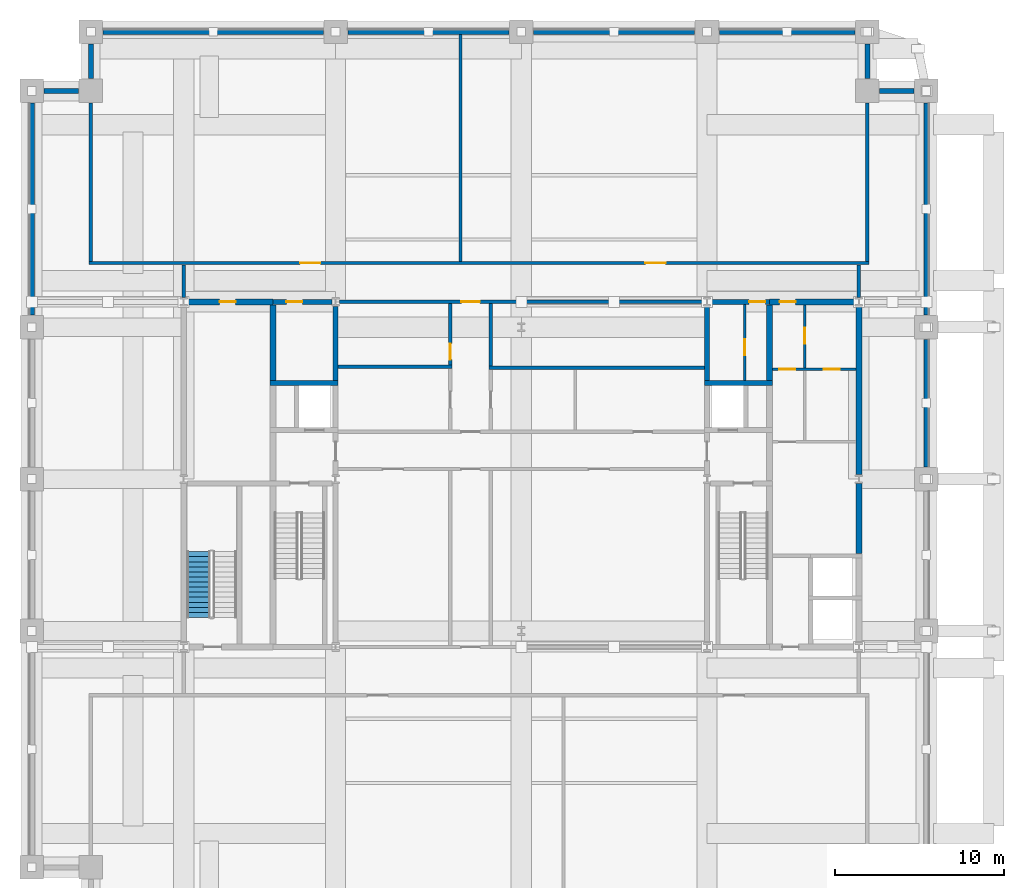
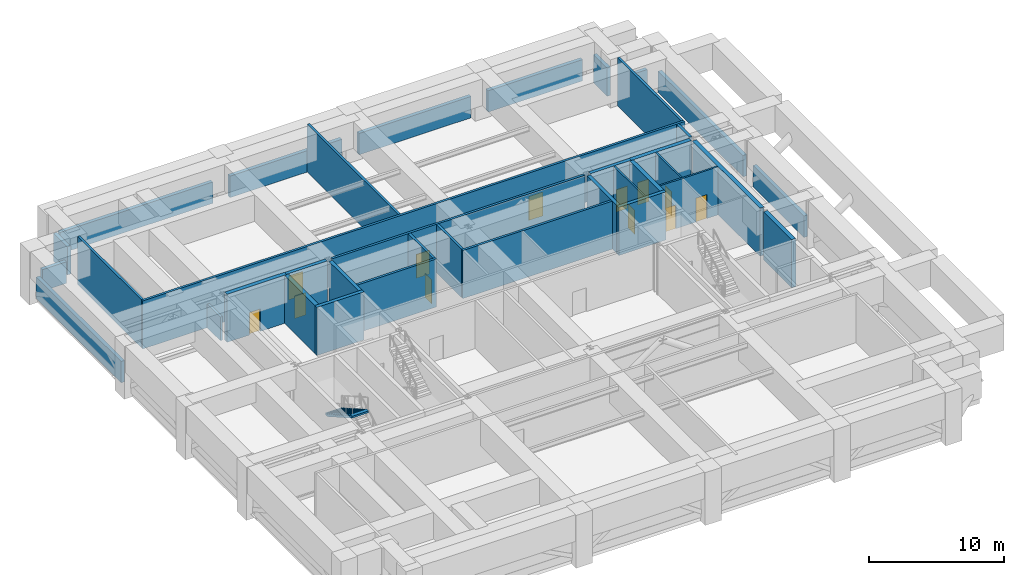
# One storey, part 5 of 10: 37 walls, 12 doors, 1 stair flight, 12 openings, 1 element without a shape of its own.
"""IFC4 building model written with IfcOpenShell, lengths in metres."""

from ifc_helpers import new_model, si_unit, direction, frame, frame_2d, origin, place, context, subcontext, project, spatial, polyline, rectangle, outline, extrude, material, layer, layer_set, type_object, element, fill, aggregate, save


model = new_model("IFC4")

# Units and contexts
model_context = context("Model", 3, precision=1e-05, world=origin(), true_north=direction((0.0, 1.0)))
body_context = subcontext(model_context, "Body", "Model", "MODEL_VIEW")
ifc_project = project(units=[si_unit("LENGTHUNIT", "METRE"), si_unit("AREAUNIT", "SQUARE_METRE"), si_unit("VOLUMEUNIT", "CUBIC_METRE"), si_unit("PLANEANGLEUNIT", "RADIAN"), si_unit("MASSUNIT", "GRAM", prefix="KILO")], contexts=[model_context])

# Site, building, storey
site_placement = place(None, origin())
site = spatial("IfcSite", under=ifc_project, at=site_placement, CompositionType="ELEMENT")
building_placement = place(site_placement, origin())
building = spatial("IfcBuilding", under=site, at=building_placement, Name="Zulmaris Gate Convention Tower", CompositionType="ELEMENT")
storey_placement = place(building_placement, frame((0.0, 0.0, 82.179931640625)))
storey = spatial("IfcBuildingStorey", under=building, at=storey_placement, Name="L20", CompositionType="ELEMENT", Elevation=82.179931640625)

# Walls
ifc_material_1 = material(Name="Concrete C50/60", Category="concrete")
ifc_layer_1 = layer(ifc_material_1, 0.300048828125, Name="Concrete C50/60")
ifc_layer_set_1 = layer_set([ifc_layer_1], Name="Concrete C50/60")
wall_type_1 = type_object("IfcWallType", Name="CORE-300", PredefinedType="SHEAR", material=ifc_layer_set_1)
for number, where, z_axis, x_axis, name in (
    (1, (-14.875, 5.699951171875, 0.0), (0.0, 0.0, 1.0), (1.0, 0.0, 0.0), "WL-L20-011"),
    (2, (10.85009765625, 5.699951171875, 0.0), (0.0, 0.0, 1.0), (1.0, 0.0, 0.0), "WL-L20-012"),
):
    element("IfcWall", number, at=place(storey_placement, frame(where, z_axis=z_axis, x_axis=x_axis)), inside=storey, type_object=wall_type_1, Name=name, PredefinedType="SHEAR", context=body_context, shape_type="SweptSolid", body=[
        extrude(rectangle(XDim=4.02490234375, YDim=0.300048828125, at=frame_2d((2.012451171875, 0.0))), origin(), (0.0, 0.0, 1.0), 4.3349609375),
    ])

# Wall, opening, door
wall_1_placement = place(storey_placement, frame((-14.699951171875, 10.5, 0.0), z_axis=(0.0, 0.0, 1.0), x_axis=(1.0, 0.0, 0.0)))
wall_1 = element("IfcWall", 3, at=wall_1_placement, inside=storey, type_object=wall_type_1, Name="WL-L20-014", PredefinedType="SHEAR", context=body_context, shape_type="SweptSolid", body=[
    extrude(rectangle(XDim=3.4775390625, YDim=0.300048828125, at=frame_2d((1.73876953125, 0.0))), origin(), (0.0, 0.0, 1.0), 4.3349609375),
])
opening_1_placement = place(wall_1_placement, frame((0.77490234375, 0.0, 0.0)))
opening_1 = element("IfcOpeningElement", 4, at=opening_1_placement, cuts=wall_1, Name="Opening D-25", PredefinedType="OPENING", context=body_context, shape_type="SweptSolid", body=[
    extrude(rectangle(XDim=0.949951171875, YDim=2.02001953125, at=frame_2d((0.47509765625, 1.010009765625))), frame((0.0, 0.16015625, 0.0), z_axis=(0.0, -1.0, 0.0), x_axis=(1.0, 0.0, 0.0)), (0.0, 0.0, 1.0), 0.320068359375),
])
ifc_material_2 = material(Name="Fire-Rated Steel", Category="steel")
door_type_1 = type_object("IfcDoorType", Name="DR-950-LOW-FD", OperationType="NOTDEFINED", PredefinedType="DOOR", material=ifc_material_2)
door_1_placement = place(opening_1_placement, origin())
door_1 = element("IfcDoor", 5, at=door_1_placement, inside=storey, type_object=door_type_1, Name="L20 Core Archive Door 07", OperationType="SINGLE_SWING_RIGHT", OverallHeight=2.02001953125, OverallWidth=0.949951171875, PredefinedType="DOOR", context=body_context, shape_type="SweptSolid", body=[
    extrude(rectangle(XDim=0.949951171875, YDim=2.02001953125, at=frame_2d((0.47509765625, 1.010009765625))), frame((0.0, 0.02490234375, 0.0), z_axis=(0.0, -1.0, 0.0), x_axis=(1.0, 0.0, 0.0)), (0.0, 0.0, 1.0), 0.050048828125),
])
fill(opening_1, door_1)

wall_2_placement = place(storey_placement, frame((11.222412109375, 10.5, 0.0), z_axis=(0.0, 0.0, 1.0), x_axis=(1.0, 0.0, 0.0)))
wall_2 = element("IfcWall", 6, at=wall_2_placement, inside=storey, type_object=wall_type_1, Name="WL-L20-015", PredefinedType="SHEAR", context=body_context, shape_type="SweptSolid", body=[
    extrude(rectangle(XDim=3.4775390625, YDim=0.300048828125, at=frame_2d((1.73876953125, 0.0))), origin(), (0.0, 0.0, 1.0), 4.3349609375),
])
opening_2_placement = place(wall_2_placement, frame((2.282470703125, 0.0, 0.0)))
opening_2 = element("IfcOpeningElement", 7, at=opening_2_placement, cuts=wall_2, Name="Opening D-25", PredefinedType="OPENING", context=body_context, shape_type="SweptSolid", body=[
    extrude(rectangle(XDim=0.949951171875, YDim=2.02001953125, at=frame_2d((0.47509765625, 1.010009765625))), frame((0.0, 0.16015625, 0.0), z_axis=(0.0, -1.0, 0.0), x_axis=(1.0, 0.0, 0.0)), (0.0, 0.0, 1.0), 0.320068359375),
])
door_2_placement = place(opening_2_placement, origin())
door_2 = element("IfcDoor", 8, at=door_2_placement, inside=storey, type_object=door_type_1, Name="L20 Core Linen Closet Door 08", OperationType="SINGLE_SWING_LEFT", OverallHeight=2.02001953125, OverallWidth=0.949951171875, PredefinedType="DOOR", context=body_context, shape_type="SweptSolid", body=[
    extrude(rectangle(XDim=0.949951171875, YDim=2.02001953125, at=frame_2d((0.47509765625, 1.010009765625))), frame((0.0, 0.02490234375, 0.0), z_axis=(0.0, -1.0, 0.0), x_axis=(1.0, 0.0, 0.0)), (0.0, 0.0, 1.0), 0.050048828125),
])
fill(opening_2, door_2)

# Walls
for number, where, z_axis, x_axis, name in (
    (9, (-11.0, 5.85205078125, 0.0), (0.0, 0.0, 1.0), (0.0, 1.0, 0.0), "WL-L20-040"),
    (10, (11.0, 5.85205078125, 0.0), (0.0, 0.0, 1.0), (0.0, 1.0, 0.0), "WL-L20-044"),
):
    element("IfcWall", number, at=place(storey_placement, frame(where, z_axis=z_axis, x_axis=x_axis)), inside=storey, type_object=wall_type_1, Name=name, PredefinedType="SHEAR", context=body_context, shape_type="SweptSolid", body=[
        extrude(rectangle(XDim=4.386962890625, YDim=0.300048828125, at=frame_2d((2.193359375, 0.0))), origin(), (0.0, 0.0, 1.0), 4.3349609375),
    ])

# Wall, opening, door
ifc_material_3 = material(Name="Concrete C55/67", Category="concrete")
ifc_layer_2 = layer(ifc_material_3, 0.35009765625, Name="Concrete C55/67")
ifc_layer_set_2 = layer_set([ifc_layer_2], Name="Concrete C55/67")
wall_type_2 = type_object("IfcWallType", Name="CORE-350", PredefinedType="SHEAR", material=ifc_layer_set_2)
wall_3_placement = place(storey_placement, frame((-19.777587890625, 10.5, 0.0), z_axis=(0.0, 0.0, 1.0), x_axis=(1.0, 0.0, 0.0)))
wall_3 = element("IfcWall", 11, at=wall_3_placement, inside=storey, type_object=wall_type_2, Name="WL-L20-013", PredefinedType="SHEAR", context=body_context, shape_type="SweptSolid", body=[
    extrude(rectangle(XDim=5.07763671875, YDim=0.35009765625, at=frame_2d((2.538818359375, 0.0))), origin(), (0.0, 0.0, 1.0), 4.3349609375),
])
opening_3_placement = place(wall_3_placement, frame((1.902587890625, 0.0, 0.0)))
opening_3 = element("IfcOpeningElement", 12, at=opening_3_placement, cuts=wall_3, Name="Opening D-25", PredefinedType="OPENING", context=body_context, shape_type="SweptSolid", body=[
    extrude(rectangle(XDim=0.949951171875, YDim=2.02001953125, at=frame_2d((0.47509765625, 1.010009765625))), frame((0.0, 0.18505859375, 0.0), z_axis=(0.0, -1.0, 0.0), x_axis=(1.0, 0.0, 0.0)), (0.0, 0.0, 1.0), 0.3701171875),
])
door_3_placement = place(opening_3_placement, origin())
door_3 = element("IfcDoor", 13, at=door_3_placement, inside=storey, type_object=door_type_1, Name="L20 Overrun Motor Room Door 11", OperationType="SINGLE_SWING_RIGHT", OverallHeight=2.02001953125, OverallWidth=0.949951171875, PredefinedType="DOOR", context=body_context, shape_type="SweptSolid", body=[
    extrude(rectangle(XDim=0.949951171875, YDim=2.02001953125, at=frame_2d((0.47509765625, 1.010009765625))), frame((0.0, 0.02490234375, 0.0), z_axis=(0.0, -1.0, 0.0), x_axis=(1.0, 0.0, 0.0)), (0.0, 0.0, 1.0), 0.050048828125),
])
fill(opening_3, door_3)

wall_4_placement = place(storey_placement, frame((14.699951171875, 10.5, 0.0), z_axis=(0.0, 0.0, 1.0), x_axis=(1.0, 0.0, 0.0)))
wall_4 = element("IfcWall", 14, at=wall_4_placement, inside=storey, type_object=wall_type_2, Name="WL-L20-016", PredefinedType="SHEAR", context=body_context, shape_type="SweptSolid", body=[
    extrude(rectangle(XDim=5.07763671875, YDim=0.35009765625, at=frame_2d((2.538818359375, 0.0))), origin(), (0.0, 0.0, 1.0), 4.3349609375),
])
opening_4_placement = place(wall_4_placement, frame((0.60009765625, 0.0, 0.0)))
opening_4 = element("IfcOpeningElement", 15, at=opening_4_placement, cuts=wall_4, Name="Opening D-25", PredefinedType="OPENING", context=body_context, shape_type="SweptSolid", body=[
    extrude(rectangle(XDim=0.949951171875, YDim=2.02001953125, at=frame_2d((0.47509765625, 1.010009765625))), frame((0.0, 0.18505859375, 0.0), z_axis=(0.0, -1.0, 0.0), x_axis=(1.0, 0.0, 0.0)), (0.0, 0.0, 1.0), 0.3701171875),
])
door_4_placement = place(opening_4_placement, origin())
door_4 = element("IfcDoor", 16, at=door_4_placement, inside=storey, type_object=door_type_1, Name="L20 East Service Passage Door 13", OperationType="SINGLE_SWING_RIGHT", OverallHeight=2.02001953125, OverallWidth=0.949951171875, PredefinedType="DOOR", context=body_context, shape_type="SweptSolid", body=[
    extrude(rectangle(XDim=0.949951171875, YDim=2.02001953125, at=frame_2d((0.47509765625, 1.010009765625))), frame((0.0, 0.02490234375, 0.0), z_axis=(0.0, -1.0, 0.0), x_axis=(1.0, 0.0, 0.0)), (0.0, 0.0, 1.0), 0.050048828125),
])
fill(opening_4, door_4)

# Walls
for number, where, z_axis, x_axis, name in (
    (17, (-14.699951171875, 5.85205078125, 0.0), (0.0, 0.0, 1.0), (0.0, 1.0, 0.0), "WL-L20-034"),
    (18, (14.699951171875, 5.85205078125, 0.0), (0.0, 0.0, 1.0), (0.0, 1.0, 0.0), "WL-L20-050"),
):
    element("IfcWall", number, at=place(storey_placement, frame(where, z_axis=z_axis, x_axis=x_axis)), inside=storey, type_object=wall_type_2, Name=name, PredefinedType="SHEAR", context=body_context, shape_type="SweptSolid", body=[
        extrude(rectangle(XDim=4.470947265625, YDim=0.35009765625, at=frame_2d((2.2353515625, 0.0))), origin(), (0.0, 0.0, 1.0), 4.3349609375),
    ])
wall_5_placement = place(storey_placement, frame((20.0, -4.423095703125, 0.0), z_axis=(0.0, 0.0, 1.0), x_axis=(0.0, 1.0, 0.0)))
element("IfcWall", 19, at=wall_5_placement, inside=storey, type_object=wall_type_2, Name="WL-L20-055", PredefinedType="SHEAR", context=body_context, shape_type="SweptSolid", body=[
    extrude(rectangle(XDim=4.162109375, YDim=0.35009765625, at=frame_2d((2.0810546875, 0.0))), origin(), (0.0, 0.0, 1.0), 4.3349609375),
])
wall_6_placement = place(storey_placement, frame((20.0, 0.260986328125, 0.0), z_axis=(0.0, 0.0, 1.0), x_axis=(0.0, 1.0, 0.0)))
element("IfcWall", 20, at=wall_6_placement, inside=storey, type_object=wall_type_2, Name="WL-L20-055S1", PredefinedType="SHEAR", context=body_context, shape_type="SweptSolid", body=[
    extrude(rectangle(XDim=9.97802734375, YDim=0.35009765625, at=frame_2d((4.989013671875, 0.0))), origin(), (0.0, 0.0, 1.0), 4.3349609375),
])

# Wall, openings, doors
ifc_material_4 = material(Name="Gypsum Metal Stud Partition")
ifc_layer_3 = layer(ifc_material_4, 0.14990234375, Name="Gypsum Metal Stud Partition")
ifc_layer_set_3 = layer_set([ifc_layer_3], Name="Gypsum Metal Stud Partition")
wall_type_3 = type_object("IfcWallType", Name="PART-150", PredefinedType="PARTITIONING", material=ifc_layer_set_3)
wall_7_placement = place(storey_placement, frame((14.8779296875, 6.5, 0.0), z_axis=(0.0, 0.0, 1.0), x_axis=(1.0, 0.0, 0.0)))
wall_7 = element("IfcWall", 21, at=wall_7_placement, inside=storey, type_object=wall_type_3, Name="WL-L20-023", PredefinedType="PARTITIONING", context=body_context, shape_type="SweptSolid", body=[
    extrude(rectangle(XDim=4.944091796875, YDim=0.14990234375, at=frame_2d((2.47216796875, 0.0))), origin(), (0.0, 0.0, 1.0), 4.3349609375),
])
opening_5_placement = place(wall_7_placement, frame((0.39697265625, 0.0, 0.0)))
opening_5 = element("IfcOpeningElement", 22, at=opening_5_placement, cuts=wall_7, Name="Opening D-11", PredefinedType="OPENING", context=body_context, shape_type="SweptSolid", body=[
    extrude(rectangle(XDim=0.949951171875, YDim=2.14990234375, at=frame_2d((0.47509765625, 1.074951171875))), frame((0.0, 0.0849609375, 0.0), z_axis=(0.0, -1.0, 0.0), x_axis=(1.0, 0.0, 0.0)), (0.0, 0.0, 1.0), 0.169921875),
])
opening_6_placement = place(wall_7_placement, frame((3.047119140625, 0.0, 0.0)))
opening_6 = element("IfcOpeningElement", 23, at=opening_6_placement, cuts=wall_7, Name="Opening D-11", PredefinedType="OPENING", context=body_context, shape_type="SweptSolid", body=[
    extrude(rectangle(XDim=0.949951171875, YDim=2.14990234375, at=frame_2d((0.47509765625, 1.074951171875))), frame((0.0, 0.0849609375, 0.0), z_axis=(0.0, -1.0, 0.0), x_axis=(1.0, 0.0, 0.0)), (0.0, 0.0, 1.0), 0.169921875),
])
ifc_material_5 = material(Name="Fire-Rated Timber", Category="wood")
door_type_2 = type_object("IfcDoorType", Name="DR-950-FD", OperationType="NOTDEFINED", PredefinedType="DOOR", material=ifc_material_5)
door_5_placement = place(opening_5_placement, origin())
door_5 = element("IfcDoor", 24, at=door_5_placement, inside=storey, type_object=door_type_2, Name="L20 East Staff WC Door 14", OperationType="SINGLE_SWING_LEFT", OverallHeight=2.14990234375, OverallWidth=0.949951171875, PredefinedType="DOOR", context=body_context, shape_type="SweptSolid", body=[
    extrude(rectangle(XDim=0.949951171875, YDim=2.14990234375, at=frame_2d((0.47509765625, 1.074951171875))), frame((0.0, 0.02490234375, 0.0), z_axis=(0.0, -1.0, 0.0), x_axis=(1.0, 0.0, 0.0)), (0.0, 0.0, 1.0), 0.050048828125),
])
fill(opening_5, door_5)
door_6_placement = place(opening_6_placement, origin())
door_6 = element("IfcDoor", 25, at=door_6_placement, inside=storey, type_object=door_type_2, Name="L20 East Catering Store Door 17", OperationType="SINGLE_SWING_RIGHT", OverallHeight=2.14990234375, OverallWidth=0.949951171875, PredefinedType="DOOR", context=body_context, shape_type="SweptSolid", body=[
    extrude(rectangle(XDim=0.949951171875, YDim=2.14990234375, at=frame_2d((0.47509765625, 1.074951171875))), frame((0.0, 0.02490234375, 0.0), z_axis=(0.0, -1.0, 0.0), x_axis=(1.0, 0.0, 0.0)), (0.0, 0.0, 1.0), 0.050048828125),
])
fill(opening_6, door_6)

# Wall, opening, door
wall_8_placement = place(storey_placement, frame((13.25, 5.85302734375, 0.0), z_axis=(0.0, 0.0, 1.0), x_axis=(0.0, 1.0, 0.0)))
wall_8 = element("IfcWall", 26, at=wall_8_placement, inside=storey, type_object=wall_type_3, Name="WL-L20-069", PredefinedType="PARTITIONING", context=body_context, shape_type="SweptSolid", body=[
    extrude(rectangle(XDim=4.493896484375, YDim=0.14990234375, at=frame_2d((2.2470703125, 0.0))), origin(), (0.0, 0.0, 1.0), 4.3349609375),
])
opening_7_placement = place(wall_8_placement, frame((1.471923828125, 0.0, 0.0)))
opening_7 = element("IfcOpeningElement", 27, at=opening_7_placement, cuts=wall_8, Name="Opening D-11", PredefinedType="OPENING", context=body_context, shape_type="SweptSolid", body=[
    extrude(rectangle(XDim=0.949951171875, YDim=2.14990234375, at=frame_2d((0.47509765625, 1.074951171875))), frame((0.0, 0.0849609375, 0.0), z_axis=(0.0, -1.0, 0.0), x_axis=(1.0, 0.0, 0.0)), (0.0, 0.0, 1.0), 0.169921875),
])
door_7_placement = place(opening_7_placement, origin())
door_7 = element("IfcDoor", 28, at=door_7_placement, inside=storey, type_object=door_type_2, Name="L20 Core Service Pantry Door 09", OperationType="SINGLE_SWING_RIGHT", OverallHeight=2.14990234375, OverallWidth=0.949951171875, PredefinedType="DOOR", context=body_context, shape_type="SweptSolid", body=[
    extrude(rectangle(XDim=0.949951171875, YDim=2.14990234375, at=frame_2d((0.47509765625, 1.074951171875))), frame((0.0, 0.02490234375, 0.0), z_axis=(0.0, -1.0, 0.0), x_axis=(1.0, 0.0, 0.0)), (0.0, 0.0, 1.0), 0.050048828125),
])
fill(opening_7, door_7)

wall_9_placement = place(storey_placement, frame((16.800048828125, 6.577880859375, 0.0), z_axis=(0.0, 0.0, 1.0), x_axis=(0.0, 1.0, 0.0)))
wall_9 = element("IfcWall", 29, at=wall_9_placement, inside=storey, type_object=wall_type_3, Name="WL-L20-071", PredefinedType="PARTITIONING", context=body_context, shape_type="SweptSolid", body=[
    extrude(rectangle(XDim=3.744140625, YDim=0.14990234375, at=frame_2d((1.8720703125, 0.0))), origin(), (0.0, 0.0, 1.0), 4.3349609375),
])
opening_8_placement = place(wall_9_placement, frame((1.447021484375, 0.0, 0.0)))
opening_8 = element("IfcOpeningElement", 30, at=opening_8_placement, cuts=wall_9, Name="Opening D-11", PredefinedType="OPENING", context=body_context, shape_type="SweptSolid", body=[
    extrude(rectangle(XDim=0.949951171875, YDim=2.14990234375, at=frame_2d((0.47509765625, 1.074951171875))), frame((0.0, 0.0849609375, 0.0), z_axis=(0.0, -1.0, 0.0), x_axis=(1.0, 0.0, 0.0)), (0.0, 0.0, 1.0), 0.169921875),
])
door_8_placement = place(opening_8_placement, origin())
door_8 = element("IfcDoor", 31, at=door_8_placement, inside=storey, type_object=door_type_2, Name="L20 East Vending Pantry Door 16", OperationType="SINGLE_SWING_LEFT", OverallHeight=2.14990234375, OverallWidth=0.949951171875, PredefinedType="DOOR", context=body_context, shape_type="SweptSolid", body=[
    extrude(rectangle(XDim=0.949951171875, YDim=2.14990234375, at=frame_2d((0.47509765625, 1.074951171875))), frame((0.0, 0.02490234375, 0.0), z_axis=(0.0, -1.0, 0.0), x_axis=(1.0, 0.0, 0.0)), (0.0, 0.0, 1.0), 0.050048828125),
])
fill(opening_8, door_8)

# Walls
ifc_material_6 = material(Name="Autoclaved Aerated Concrete Block and Plasterboard", Category="concrete")
ifc_layer_4 = layer(ifc_material_6, 0.199951171875, Name="Autoclaved Aerated Concrete Block and Plasterboard")
ifc_layer_set_4 = layer_set([ifc_layer_4], Name="Autoclaved Aerated Concrete Block and Plasterboard")
wall_type_4 = type_object("IfcWallType", Name="PART-200", PredefinedType="PARTITIONING", material=ifc_layer_set_4)
wall_10_placement = place(storey_placement, frame((-1.89990234375, 6.60009765625, 0.0), z_axis=(0.0, 0.0, 1.0), x_axis=(1.0, 0.0, 0.0)))
element("IfcWall", 32, at=wall_10_placement, inside=storey, type_object=wall_type_4, Name="WL-L20-024", PredefinedType="PARTITIONING", context=body_context, shape_type="SweptSolid", body=[
    extrude(rectangle(XDim=12.746826171875, YDim=0.199951171875, at=frame_2d((6.37353515625, 0.0))), origin(), (0.0, 0.0, 1.0), 4.3349609375),
])
wall_11_placement = place(storey_placement, frame((-10.846923828125, 6.64990234375, 0.0), z_axis=(0.0, 0.0, 1.0), x_axis=(1.0, 0.0, 0.0)))
element("IfcWall", 33, at=wall_11_placement, inside=storey, type_object=wall_type_4, Name="WL-L20-025", PredefinedType="PARTITIONING", context=body_context, shape_type="SweptSolid", body=[
    extrude(rectangle(XDim=6.746826171875, YDim=0.199951171875, at=frame_2d((3.37353515625, 0.0))), origin(), (0.0, 0.0, 1.0), 4.3349609375),
])

# Wall, opening, door
wall_12_placement = place(storey_placement, frame((-10.775390625, 10.5, 0.0), z_axis=(0.0, 0.0, 1.0), x_axis=(1.0, 0.0, 0.0)))
wall_12 = element("IfcWall", 34, at=wall_12_placement, inside=storey, type_object=wall_type_4, Name="WL-L20-026", PredefinedType="PARTITIONING", context=body_context, shape_type="SweptSolid", body=[
    extrude(rectangle(XDim=21.55078125, YDim=0.199951171875, at=frame_2d((10.775390625, 0.0))), origin(), (0.0, 0.0, 1.0), 4.3349609375),
])
opening_9_placement = place(wall_12_placement, frame((7.2255859375, 0.0, 0.0)))
opening_9 = element("IfcOpeningElement", 35, at=opening_9_placement, cuts=wall_12, Name="Opening D-08", PredefinedType="OPENING", context=body_context, shape_type="SweptSolid", body=[
    extrude(rectangle(XDim=1.10009765625, YDim=2.14990234375, at=frame_2d((0.550048828125, 1.074951171875))), frame((0.0, 0.10986328125, 0.0), z_axis=(0.0, -1.0, 0.0), x_axis=(1.0, 0.0, 0.0)), (0.0, 0.0, 1.0), 0.219970703125),
])
door_type_3 = type_object("IfcDoorType", Name="DR-1100-FD", OperationType="NOTDEFINED", PredefinedType="DOOR", material=ifc_material_2)
door_9_placement = place(opening_9_placement, origin())
door_9 = element("IfcDoor", 36, at=door_9_placement, inside=storey, type_object=door_type_3, Name="L20 North Cross Corridor Link Door 19", OperationType="SINGLE_SWING_RIGHT", OverallHeight=2.14990234375, OverallWidth=1.10009765625, PredefinedType="DOOR", context=body_context, shape_type="SweptSolid", body=[
    extrude(rectangle(XDim=1.10009765625, YDim=2.14990234375, at=frame_2d((0.550048828125, 1.074951171875))), frame((0.0, 0.02490234375, 0.0), z_axis=(0.0, -1.0, 0.0), x_axis=(1.0, 0.0, 0.0)), (0.0, 0.0, 1.0), 0.050048828125),
])
fill(opening_9, door_9)

# Wall, openings, doors
wall_13_placement = place(storey_placement, frame((-25.60009765625, 12.800048828125, 0.0), z_axis=(0.0, 0.0, 1.0), x_axis=(1.0, 0.0, 0.0)))
wall_13 = element("IfcWall", 37, at=wall_13_placement, inside=storey, type_object=wall_type_4, Name="WL-L20-027", PredefinedType="PARTITIONING", context=body_context, shape_type="SweptSolid", body=[
    extrude(rectangle(XDim=46.2001953125, YDim=0.199951171875, at=frame_2d((23.10009765625, 0.0))), origin(), (0.0, 0.0, 1.0), 4.3349609375),
])
opening_10_placement = place(wall_13_placement, frame((12.489990234375, 0.0, 0.0)))
opening_10 = element("IfcOpeningElement", 38, at=opening_10_placement, cuts=wall_13, Name="Opening D-13", PredefinedType="OPENING", context=body_context, shape_type="SweptSolid", body=[
    extrude(rectangle(XDim=1.199951171875, YDim=2.14990234375, at=frame_2d((0.60009765625, 1.074951171875))), frame((0.0, 0.10986328125, 0.0), z_axis=(0.0, -1.0, 0.0), x_axis=(1.0, 0.0, 0.0)), (0.0, 0.0, 1.0), 0.219970703125),
])
opening_11_placement = place(wall_13_placement, frame((32.949951171875, 0.0, 0.0)))
opening_11 = element("IfcOpeningElement", 39, at=opening_11_placement, cuts=wall_13, Name="Opening D-13", PredefinedType="OPENING", context=body_context, shape_type="SweptSolid", body=[
    extrude(rectangle(XDim=1.199951171875, YDim=2.14990234375, at=frame_2d((0.60009765625, 1.074951171875))), frame((0.0, 0.10986328125, 0.0), z_axis=(0.0, -1.0, 0.0), x_axis=(1.0, 0.0, 0.0)), (0.0, 0.0, 1.0), 0.219970703125),
])
door_type_4 = type_object("IfcDoorType", Name="DR-1200-FD", OperationType="NOTDEFINED", PredefinedType="DOOR", material=ifc_material_2)
door_10_placement = place(opening_10_placement, origin())
door_10 = element("IfcDoor", 40, at=door_10_placement, inside=storey, type_object=door_type_4, Name="L20 Chiller Plant Door 24", OperationType="SINGLE_SWING_LEFT", OverallHeight=2.14990234375, OverallWidth=1.199951171875, PredefinedType="DOOR", context=body_context, shape_type="SweptSolid", body=[
    extrude(rectangle(XDim=1.199951171875, YDim=2.14990234375, at=frame_2d((0.60009765625, 1.074951171875))), frame((0.0, 0.02490234375, 0.0), z_axis=(0.0, -1.0, 0.0), x_axis=(1.0, 0.0, 0.0)), (0.0, 0.0, 1.0), 0.050048828125),
])
fill(opening_10, door_10)
door_11_placement = place(opening_11_placement, origin())
door_11 = element("IfcDoor", 41, at=door_11_placement, inside=storey, type_object=door_type_4, Name="L20 AHU Plant Door 25", OperationType="SINGLE_SWING_RIGHT", OverallHeight=2.14990234375, OverallWidth=1.199951171875, PredefinedType="DOOR", context=body_context, shape_type="SweptSolid", body=[
    extrude(rectangle(XDim=1.199951171875, YDim=2.14990234375, at=frame_2d((0.60009765625, 1.074951171875))), frame((0.0, 0.02490234375, 0.0), z_axis=(0.0, -1.0, 0.0), x_axis=(1.0, 0.0, 0.0)), (0.0, 0.0, 1.0), 0.050048828125),
])
fill(opening_11, door_11)

# Walls
wall_14_placement = place(storey_placement, frame((-25.5, 12.903076171875, 0.0), z_axis=(0.0, 0.0, 1.0), x_axis=(0.0, 1.0, 0.0)))
element("IfcWall", 42, at=wall_14_placement, inside=storey, type_object=wall_type_4, Name="WL-L20-057", PredefinedType="PARTITIONING", context=body_context, shape_type="SweptSolid", body=[
    extrude(rectangle(XDim=9.390869140625, YDim=0.199951171875, at=frame_2d((4.6953125, 0.0))), origin(), (0.0, 0.0, 1.0), 4.3349609375),
])
wall_15_placement = place(storey_placement, frame((-20.0, 10.762939453125, 0.0), z_axis=(0.0, 0.0, 1.0), x_axis=(0.0, 1.0, 0.0)))
element("IfcWall", 43, at=wall_15_placement, inside=storey, type_object=wall_type_4, Name="WL-L20-059", PredefinedType="PARTITIONING", context=body_context, shape_type="SweptSolid", body=[
    extrude(rectangle(XDim=1.93408203125, YDim=0.199951171875, at=frame_2d((0.967041015625, 0.0))), origin(), (0.0, 0.0, 1.0), 2.126953125),
])

# Wall, opening, door
wall_16_placement = place(storey_placement, frame((-4.199951171875, 6.7529296875, 0.0), z_axis=(0.0, 0.0, 1.0), x_axis=(0.0, 1.0, 0.0)))
wall_16 = element("IfcWall", 44, at=wall_16_placement, inside=storey, type_object=wall_type_4, Name="WL-L20-062", PredefinedType="PARTITIONING", context=body_context, shape_type="SweptSolid", body=[
    extrude(rectangle(XDim=3.64404296875, YDim=0.199951171875, at=frame_2d((1.822021484375, 0.0))), origin(), (0.0, 0.0, 1.0), 4.3349609375),
])
opening_12_placement = place(wall_16_placement, frame((0.322021484375, 0.0, 0.0)))
opening_12 = element("IfcOpeningElement", 45, at=opening_12_placement, cuts=wall_16, Name="Opening D-11", PredefinedType="OPENING", context=body_context, shape_type="SweptSolid", body=[
    extrude(rectangle(XDim=0.949951171875, YDim=2.14990234375, at=frame_2d((0.47509765625, 1.074951171875))), frame((0.0, 0.10986328125, 0.0), z_axis=(0.0, -1.0, 0.0), x_axis=(1.0, 0.0, 0.0)), (0.0, 0.0, 1.0), 0.219970703125),
])
door_12_placement = place(opening_12_placement, origin())
door_12 = element("IfcDoor", 46, at=door_12_placement, inside=storey, type_object=door_type_2, Name="L20 Smoke Fan Plant Door 29", OperationType="SINGLE_SWING_RIGHT", OverallHeight=2.14990234375, OverallWidth=0.949951171875, PredefinedType="DOOR", context=body_context, shape_type="SweptSolid", body=[
    extrude(rectangle(XDim=0.949951171875, YDim=2.14990234375, at=frame_2d((0.47509765625, 1.074951171875))), frame((0.0, 0.02490234375, 0.0), z_axis=(0.0, -1.0, 0.0), x_axis=(1.0, 0.0, 0.0)), (0.0, 0.0, 1.0), 0.050048828125),
])
fill(opening_12, door_12)

# Walls
wall_17_placement = place(storey_placement, frame((-3.60009765625, 12.903076171875, 0.0), z_axis=(0.0, 0.0, 1.0), x_axis=(0.0, 1.0, 0.0)))
element("IfcWall", 47, at=wall_17_placement, inside=storey, type_object=wall_type_4, Name="WL-L20-063", PredefinedType="PARTITIONING", context=body_context, shape_type="SweptSolid", body=[
    extrude(rectangle(XDim=13.431884765625, YDim=0.199951171875, at=frame_2d((6.7158203125, 0.0))), origin(), (0.0, 0.0, 1.0), 4.3349609375),
])
wall_18_placement = place(storey_placement, frame((-1.800048828125, 6.702880859375, 0.0), z_axis=(0.0, 0.0, 1.0), x_axis=(0.0, 1.0, 0.0)))
element("IfcWall", 48, at=wall_18_placement, inside=storey, type_object=wall_type_4, Name="WL-L20-066", PredefinedType="PARTITIONING", context=body_context, shape_type="SweptSolid", body=[
    extrude(rectangle(XDim=3.694091796875, YDim=0.199951171875, at=frame_2d((1.84716796875, 0.0))), origin(), (0.0, 0.0, 1.0), 4.3349609375),
])
wall_19_placement = place(storey_placement, frame((20.0, 10.762939453125, 0.0), z_axis=(0.0, 0.0, 1.0), x_axis=(0.0, 1.0, 0.0)))
element("IfcWall", 49, at=wall_19_placement, inside=storey, type_object=wall_type_4, Name="WL-L20-073", PredefinedType="PARTITIONING", context=body_context, shape_type="SweptSolid", body=[
    extrude(rectangle(XDim=1.93408203125, YDim=0.199951171875, at=frame_2d((0.967041015625, 0.0))), origin(), (0.0, 0.0, 1.0), 4.3349609375),
])
wall_20_placement = place(storey_placement, frame((20.5, 12.903076171875, 0.0), z_axis=(0.0, 0.0, 1.0), x_axis=(0.0, 1.0, 0.0)))
element("IfcWall", 50, at=wall_20_placement, inside=storey, type_object=wall_type_4, Name="WL-L20-075", PredefinedType="PARTITIONING", context=body_context, shape_type="SweptSolid", body=[
    extrude(rectangle(XDim=9.390869140625, YDim=0.199951171875, at=frame_2d((4.6953125, 0.0))), origin(), (0.0, 0.0, 1.0), 4.3349609375),
])
ifc_material_7 = material(Name="Precast concrete C40/50", Category="concrete")
ifc_layer_5 = layer(ifc_material_7, 0.300048828125, Name="Precast concrete C40/50")
ifc_layer_set_5 = layer_set([ifc_layer_5], Name="Precast concrete C40/50")
wall_type_5 = type_object("IfcWallType", Name="PRECAST-PIER-300", PredefinedType="STANDARD", material=ifc_layer_set_5)
wall_21_placement = place(storey_placement, frame((23.27001953125, 23.0, 0.0), z_axis=(0.0, 0.0, 1.0), x_axis=(-1.0, 0.0, 0.0)))
element("IfcWall", 51, at=wall_21_placement, inside=storey, type_object=wall_type_5, Name="EW-L20-NOTCH-NE1_0", PredefinedType="STANDARD", context=body_context, shape_type="SweptSolid", body=[
    extrude(rectangle(XDim=2.0400390625, YDim=0.300048828125, at=frame_2d((1.02001953125, 0.0))), origin(), (0.0, 0.0, 1.0), 1.927001953125),
])
for number, where, z_axis, x_axis, name in (
    (52, (20.5, 23.72998046875, 0.0), (0.0, 0.0, 1.0), (0.0, 1.0, 0.0), "EW-L20-NOTCH-NE2_0"),
    (53, (-25.5, 25.77001953125, 0.0), (0.0, 0.0, 1.0), (0.0, -1.0, 0.0), "EW-L20-NOTCH-NW1_0"),
):
    element("IfcWall", number, at=place(storey_placement, frame(where, z_axis=z_axis, x_axis=x_axis)), inside=storey, type_object=wall_type_5, Name=name, PredefinedType="STANDARD", context=body_context, shape_type="SweptSolid", body=[
        extrude(rectangle(XDim=2.0400390625, YDim=0.300048828125, at=frame_2d((1.02001953125, 0.0))), origin(), (0.0, 0.0, 1.0), 2.52685546875),
    ])
wall_22_placement = place(storey_placement, frame((-26.22998046875, 23.0, 0.0), z_axis=(0.0, 0.0, 1.0), x_axis=(-1.0, 0.0, 0.0)))
element("IfcWall", 54, at=wall_22_placement, inside=storey, type_object=wall_type_5, Name="EW-L20-NOTCH-NW2_0", PredefinedType="STANDARD", context=body_context, shape_type="SweptSolid", body=[
    extrude(rectangle(XDim=2.0400390625, YDim=0.300048828125, at=frame_2d((1.02001953125, 0.0))), origin(), (0.0, 0.0, 1.0), 1.927001953125),
])
wall_23_placement = place(storey_placement, frame((-11.72998046875, 26.5, 0.0), z_axis=(0.0, 0.0, 1.0), x_axis=(-1.0, 0.0, 0.0)))
element("IfcWall", 55, at=wall_23_placement, inside=storey, type_object=wall_type_5, Name="EW-L20-N-0_0", PredefinedType="STANDARD", context=body_context, shape_type="SweptSolid", body=[
    extrude(rectangle(XDim=13.0400390625, YDim=0.300048828125, at=frame_2d((6.52001953125, 0.0))), origin(), (0.0, 0.0, 1.0), 1.927001953125),
])
for number, where, z_axis, x_axis, name in (
    (56, (-0.72998046875, 26.5, 0.0), (0.0, 0.0, 1.0), (-1.0, 0.0, 0.0), "EW-L20-N-1_0"),
    (57, (10.27001953125, 26.5, 0.0), (0.0, 0.0, 1.0), (-1.0, 0.0, 0.0), "EW-L20-N-2_0"),
):
    element("IfcWall", number, at=place(storey_placement, frame(where, z_axis=z_axis, x_axis=x_axis)), inside=storey, type_object=wall_type_5, Name=name, PredefinedType="STANDARD", context=body_context, shape_type="SweptSolid", body=[
        extrude(rectangle(XDim=9.5400390625, YDim=0.300048828125, at=frame_2d((4.77001953125, 0.0))), origin(), (0.0, 0.0, 1.0), 1.927001953125),
    ])
wall_24_placement = place(storey_placement, frame((19.77001953125, 26.5, 0.0), z_axis=(0.0, 0.0, 1.0), x_axis=(-1.0, 0.0, 0.0)))
element("IfcWall", 58, at=wall_24_placement, inside=storey, type_object=wall_type_5, Name="EW-L20-N-3_0", PredefinedType="STANDARD", context=body_context, shape_type="SweptSolid", body=[
    extrude(rectangle(XDim=8.0400390625, YDim=0.300048828125, at=frame_2d((4.02001953125, 0.0))), origin(), (0.0, 0.0, 1.0), 1.927001953125),
])
wall_25_placement = place(storey_placement, frame((24.0, 0.72998046875, 0.0), z_axis=(0.0, 0.0, 1.0), x_axis=(0.0, 1.0, 0.0)))
element("IfcWall", 59, at=wall_25_placement, inside=storey, type_object=wall_type_5, Name="EW-L20-E-2_0", PredefinedType="STANDARD", context=body_context, shape_type="SweptSolid", body=[
    extrude(rectangle(XDim=7.5400390625, YDim=0.300048828125, at=frame_2d((3.77001953125, 0.0))), origin(), (0.0, 0.0, 1.0), 1.927001953125),
])
for number, where, z_axis, x_axis, name in (
    (60, (24.0, 9.72998046875, 0.0), (0.0, 0.0, 1.0), (0.0, 1.0, 0.0), "EW-L20-E-3_0"),
    (61, (-29.0, 22.27001953125, 0.0), (0.0, 0.0, 1.0), (0.0, -1.0, 0.0), "EW-L20-W-3_0"),
):
    element("IfcWall", number, at=place(storey_placement, frame(where, z_axis=z_axis, x_axis=x_axis)), inside=storey, type_object=wall_type_5, Name=name, PredefinedType="STANDARD", context=body_context, shape_type="SweptSolid", body=[
        extrude(rectangle(XDim=12.5400390625, YDim=0.300048828125, at=frame_2d((6.27001953125, 0.0))), origin(), (0.0, 0.0, 1.0), 1.927001953125),
    ])

# Stair, stair flight
ifc_material_8 = material(Name="Concrete C45/55", Category="concrete")
stair_type = type_object("IfcStairType", Name="ST-CORE-DOGLEG", PredefinedType="HALF_TURN_STAIR", material=ifc_material_8)
stair_placement = place(storey_placement, origin())
stair = element("IfcStair", 62, at=stair_placement, inside=storey, type_object=stair_type, Name="L20 Core Exit Stair ST-3", PredefinedType="HALF_TURN_STAIR")
ifc_layer_6 = layer(ifc_material_8, 0.14990234375, Name="Concrete C45/55")
ifc_layer_set_6 = layer_set([ifc_layer_6], Name="Concrete C45/55")
stair_flight_type = type_object("IfcStairFlightType", Name="STF-RC150", PredefinedType="STRAIGHT", material=ifc_layer_set_6)
stair_flight_placement = place(storey_placement, frame((-19.1201171875, -4.300048828125, 2.3798828125), z_axis=(0.0, 0.0, 1.0), x_axis=(0.0, -1.0, 0.0)))
stair_flight = element("IfcStairFlight", 63, at=stair_flight_placement, type_object=stair_flight_type, Name="ST-3 flight 2", NumberOfRisers=14, NumberOfTreads=13, PredefinedType="STRAIGHT", RiserHeight=0.17, TreadLength=0.3, context=body_context, shape_type="SweptSolid", body=[
    extrude(outline(polyline([(0.0, 0.0), (0.0, 0.169921875), (0.300048828125, 0.169921875), (0.300048828125, 0.340087890625), (0.60009765625, 0.340087890625), (0.60009765625, 0.510009765625), (0.89990234375, 0.510009765625), (0.89990234375, 0.679931640625), (1.199951171875, 0.679931640625), (1.199951171875, 0.85009765625), (1.5, 0.85009765625), (1.5, 1.02001953125), (1.800048828125, 1.02001953125), (1.800048828125, 1.18994140625), (2.10009765625, 1.18994140625), (2.10009765625, 1.360107421875), (2.39990234375, 1.360107421875), (2.39990234375, 1.530029296875), (2.699951171875, 1.530029296875), (2.699951171875, 1.699951171875), (3.0, 1.699951171875), (3.0, 1.8701171875), (3.300048828125, 1.8701171875), (3.300048828125, 2.0400390625), (3.60009765625, 2.0400390625), (3.60009765625, 2.2099609375), (3.89990234375, 2.2099609375), (3.89990234375, 2.3798828125), (3.89990234375, 2.03759765625), (0.303955078125, 0.0), (0.0, 0.0)])), frame((0.0, 0.699951171875, 0.0), z_axis=(0.0, -1.0, 0.0), x_axis=(1.0, 0.0, 0.0)), (0.0, 0.0, 1.0), 1.39990234375),
])
aggregate(stair, [stair_flight])

save(model, "model.ifc")
